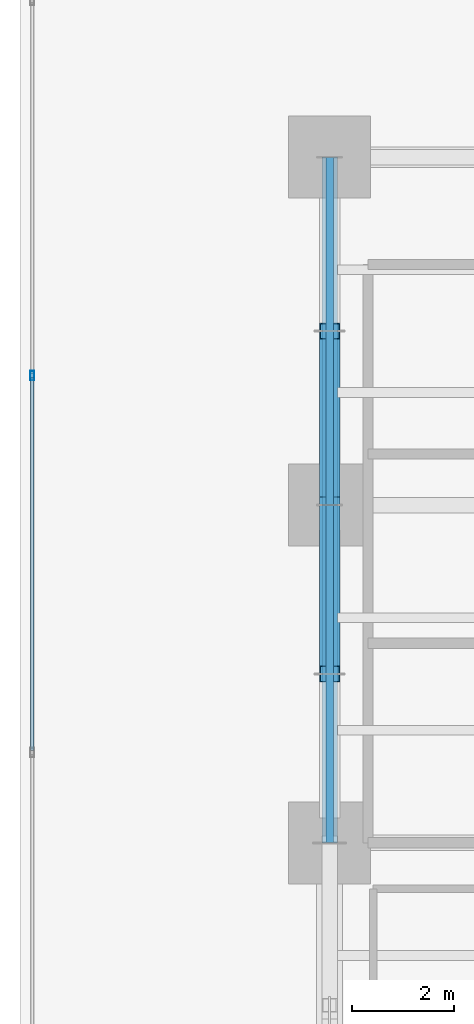
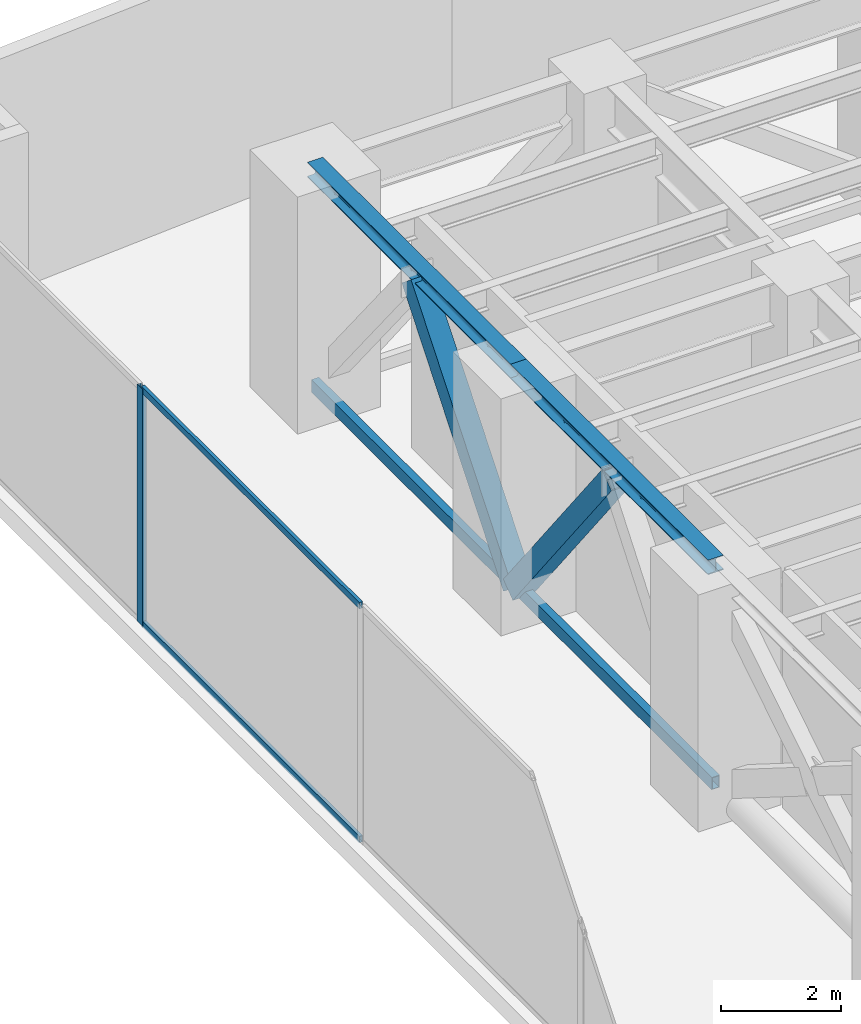
# One storey, part 22 of 36: 7 members, 2 beams, 1 element without a shape of its own.
"""IFC4 building model written with IfcOpenShell, lengths in metres."""

from ifc_helpers import new_model, si_unit, direction, frame, origin, origin_with_axes, origin_2d, place, context, subcontext, project, spatial, hollow_rectangle, i_section, extrude, source, transform, mapped, material, layer, layer_set, material_profile, profile_set, type_object, element, aggregate, save


model = new_model("IFC4")

# Units and contexts
model_context = context("Model", 3, precision=1e-05, world=origin(), true_north=direction((0.0, 1.0)))
body_context = subcontext(model_context, "Body", "Model", "MODEL_VIEW")
ifc_project = project(units=[si_unit("LENGTHUNIT", "METRE"), si_unit("AREAUNIT", "SQUARE_METRE"), si_unit("VOLUMEUNIT", "CUBIC_METRE"), si_unit("PLANEANGLEUNIT", "RADIAN"), si_unit("MASSUNIT", "GRAM", prefix="KILO")], contexts=[model_context])

# Site, building, storey
site_placement = place(None, origin())
site = spatial("IfcSite", under=ifc_project, at=site_placement, CompositionType="ELEMENT")
building_placement = place(site_placement, origin())
building = spatial("IfcBuilding", under=site, at=building_placement, Name="Kolvaren Waterfront Exchange", CompositionType="ELEMENT")
storey_placement = place(building_placement, frame((0.0, 0.0, 82.800048828125)))
storey = spatial("IfcBuildingStorey", under=building, at=storey_placement, Name="L21", CompositionType="ELEMENT", Elevation=82.800048828125)

# Beams
ifc_material_1 = material(Name="Steel S355", Category="steel")
ifc_material_profile_1 = material_profile(ifc_material_1, i_section(OverallWidth=0.300048828125, OverallDepth=0.300048828125, WebThickness=0.010986328125, FlangeThickness=0.01904296875, FilletRadius=0.027099609375, at=origin_2d()), Name="HEB300")
ifc_profile_set_1 = profile_set([ifc_material_profile_1], Name="Steel S355")
beam_type = type_object("IfcBeamType", Name="STR-BM-HEB300", PredefinedType="SPANDREL", material=ifc_profile_set_1)
beam_1_placement = place(storey_placement, frame((7.449951171875, 31.199951171875, 4.68994140625), z_axis=(0.0, 1.0, 0.0), x_axis=(-1.0, 0.0, 0.0)))
element("IfcBeam", 1, at=beam_1_placement, inside=storey, type_object=beam_type, Name="L21 north-arm edge beam 2", PredefinedType="SPANDREL", context=body_context, shape_type="SweptSolid", body=[
    extrude(i_section(OverallWidth=0.300048828125, OverallDepth=0.300048828125, WebThickness=0.010986328125, FlangeThickness=0.01904296875, FilletRadius=0.027099609375, at=origin_2d()), origin(), (0.0, 0.0, 1.0), 6.60009765625),
])
beam_2_placement = place(storey_placement, frame((7.449951171875, 37.800048828125, 4.68994140625), z_axis=(0.0, 1.0, 0.0), x_axis=(-1.0, 0.0, 0.0)))
element("IfcBeam", 2, at=beam_2_placement, inside=storey, type_object=beam_type, Name="L21 north-arm edge beam 3", PredefinedType="SPANDREL", context=body_context, shape_type="SweptSolid", body=[
    extrude(i_section(OverallWidth=0.300048828125, OverallDepth=0.300048828125, WebThickness=0.010986328125, FlangeThickness=0.01904296875, FilletRadius=0.027099609375, at=origin_2d()), origin(), (0.0, 0.0, 1.0), 6.800048828125),
])

# Members
ifc_material_2 = material(Name="Steel S460", Category="steel")
ifc_material_profile_2 = material_profile(ifc_material_2, hollow_rectangle(XDim=0.14990234375, YDim=0.25, WallThickness=0.010009765625, at=origin_2d()), Name="RHS250x150x10")
ifc_profile_set_2 = profile_set([ifc_material_profile_2], Name="Steel S460")
member_type_1 = type_object("IfcMemberType", Name="STR-BR-RHS250", PredefinedType="CHORD", material=ifc_profile_set_2)
member_1_placement = place(storey_placement, frame((7.449951171875, 31.199951171875, 0.25), z_axis=(0.0, 1.0, 0.0), x_axis=(-1.0, 0.0, 0.0)))
element("IfcMember", 3, at=member_1_placement, inside=storey, type_object=member_type_1, Name="L21 belt-truss bottom chord BT4", PredefinedType="CHORD", context=body_context, shape_type="SweptSolid", body=[
    extrude(hollow_rectangle(XDim=0.14990234375, YDim=0.25, WallThickness=0.010009765625, at=origin_2d()), origin(), (0.0, 0.0, 1.0), 6.60009765625),
])
member_2_placement = place(storey_placement, frame((7.449951171875, 37.800048828125, 0.25), z_axis=(0.0, 1.0, 0.0), x_axis=(-1.0, 0.0, 0.0)))
element("IfcMember", 4, at=member_2_placement, inside=storey, type_object=member_type_1, Name="L21 belt-truss bottom chord BT5", PredefinedType="CHORD", context=body_context, shape_type="SweptSolid", body=[
    extrude(hollow_rectangle(XDim=0.14990234375, YDim=0.25, WallThickness=0.010009765625, at=origin_2d()), origin(), (0.0, 0.0, 1.0), 6.800048828125),
])
ifc_material_profile_3 = material_profile(ifc_material_2, hollow_rectangle(XDim=0.39990234375, YDim=0.39990234375, WallThickness=0.02001953125, at=origin_2d()), Name="SHS400x400x20")
ifc_profile_set_3 = profile_set([ifc_material_profile_3], Name="Steel S460")
member_type_2 = type_object("IfcMemberType", Name="STR-BR-SHS400", PredefinedType="BRACE", material=ifc_profile_set_3)
member_3_placement = place(storey_placement, frame((7.449951171875, 37.800048828125, 0.25), z_axis=(0.0, -0.614204826898, 0.789146647091), x_axis=(1.0, 0.0, 0.0)))
element("IfcMember", 5, at=member_3_placement, inside=storey, type_object=member_type_2, Name="L21 belt-truss chevron brace BT4R", PredefinedType="BRACE", context=body_context, shape_type="SweptSolid", body=[
    extrude(hollow_rectangle(XDim=0.39990234375, YDim=0.39990234375, WallThickness=0.02001953125, at=origin_2d()), origin(), (0.0, 0.0, 1.0), 5.372802734375),
])
member_4_placement = place(storey_placement, frame((7.449951171875, 37.800048828125, 0.25), z_axis=(0.0, 0.625582125173, 0.780158320256), x_axis=(-1.0, 0.0, 0.0)))
element("IfcMember", 6, at=member_4_placement, inside=storey, type_object=member_type_2, Name="L21 belt-truss chevron brace BT5L", PredefinedType="BRACE", context=body_context, shape_type="SweptSolid", body=[
    extrude(hollow_rectangle(XDim=0.39990234375, YDim=0.39990234375, WallThickness=0.02001953125, at=origin_2d()), origin(), (0.0, 0.0, 1.0), 5.434814453125),
])

# Curtain wall, members
ifc_material_3 = material(Name="Anodised dark bronze spandrel aluminium", Category="aluminium")
ifc_layer = layer(ifc_material_3, 0.219970703125, Name="Anodised dark bronze spandrel aluminium")
ifc_layer_set = layer_set([ifc_layer], Name="Anodised dark bronze spandrel aluminium")
curtain_wall_type = type_object("IfcCurtainWallType", Name="ARC-CW-SYS6", PredefinedType="USERDEFINED", material=ifc_layer_set)
curtain_wall_placement = place(storey_placement, origin())
curtain_wall = element("IfcCurtainWall", 7, at=curtain_wall_placement, inside=storey, type_object=curtain_wall_type, Name="L21 stick curtain wall CW6 (CW-L21-W)", ObjectType="STICK CURTAIN WALL", PredefinedType="USERDEFINED")
ifc_material_4 = material(Name="Anodised bronze aluminium 6063-T6", Category="aluminium")
ifc_material_profile_4 = material_profile(ifc_material_4, hollow_rectangle(XDim=0.074951171875, YDim=0.179931640625, WallThickness=0.00439453125, at=origin_2d()), Name="ALU-MUL-180x75x4.5")
ifc_profile_set_4 = profile_set([ifc_material_profile_4], Name="Anodised bronze aluminium 6063-T6")
member_type_3 = type_object("IfcMemberType", Name="ARC-CWM-180", PredefinedType="MULLION", material=ifc_profile_set_4)
shared_shape_1 = source(origin_with_axes(), body_context, "Body", "SweptSolid", [
    extrude(hollow_rectangle(XDim=0.074951171875, YDim=0.179931640625, WallThickness=0.00439453125, at=origin_2d()), origin(), (0.0, 0.0, 1.0), 4.83984375),
])
member_5_placement = place(storey_placement, frame((1.639892578125, 40.333251953125, 0.0), z_axis=(0.0, 0.0, 1.0), x_axis=(-1.0, 0.0, 0.0)))
member_5 = element("IfcMember", 8, at=member_5_placement, type_object=member_type_3, Name="CW6 mullion 6", PredefinedType="MULLION", context=body_context, shape_type="MappedRepresentation", body=[
    mapped(shared_shape_1, transform((0.0, 0.0, 0.0), x_axis=(1.0, 0.0, 0.0), y_axis=(0.0, 1.0, 0.0), z_axis=(0.0, 0.0, 1.0), scale=1.0)),
])
ifc_material_profile_5 = material_profile(ifc_material_4, hollow_rectangle(XDim=0.06494140625, YDim=0.1298828125, WallThickness=0.00390625, at=origin_2d()), Name="ALU-TRN-130x65x4")
ifc_profile_set_5 = profile_set([ifc_material_profile_5], Name="Anodised bronze aluminium 6063-T6")
member_type_4 = type_object("IfcMemberType", Name="ARC-CWT-130", PredefinedType="USERDEFINED", material=ifc_profile_set_5)
shared_shape_2 = source(origin_with_axes(), body_context, "Body", "SweptSolid", [
    extrude(hollow_rectangle(XDim=0.06494140625, YDim=0.1298828125, WallThickness=0.00390625, at=origin_2d()), origin(), (0.0, 0.0, 1.0), 7.291748046875),
])
member_6_placement = place(storey_placement, frame((1.639892578125, 33.004150390625, 0.032470703125), z_axis=(0.0, 1.0, 0.0), x_axis=(-1.0, 0.0, 0.0)))
member_6 = element("IfcMember", 9, at=member_6_placement, type_object=member_type_4, Name="CW6 transom 5.1", ObjectType="TRANSOM", PredefinedType="USERDEFINED", context=body_context, shape_type="MappedRepresentation", body=[
    mapped(shared_shape_2, transform((0.0, 0.0, 0.0), x_axis=(1.0, 0.0, 0.0), y_axis=(0.0, 1.0, 0.0), z_axis=(0.0, 0.0, 1.0), scale=1.0)),
])
member_7_placement = place(storey_placement, frame((1.639892578125, 33.004150390625, 4.807373046875), z_axis=(0.0, 1.0, 0.0), x_axis=(-1.0, 0.0, 0.0)))
member_7 = element("IfcMember", 10, at=member_7_placement, type_object=member_type_4, Name="CW6 transom 5.2", ObjectType="TRANSOM", PredefinedType="USERDEFINED", context=body_context, shape_type="MappedRepresentation", body=[
    mapped(shared_shape_2, transform((0.0, 0.0, 0.0), x_axis=(1.0, 0.0, 0.0), y_axis=(0.0, 1.0, 0.0), z_axis=(0.0, 0.0, 1.0), scale=1.0)),
])
aggregate(curtain_wall, [member_5, member_6, member_7])

save(model, "model.ifc")
